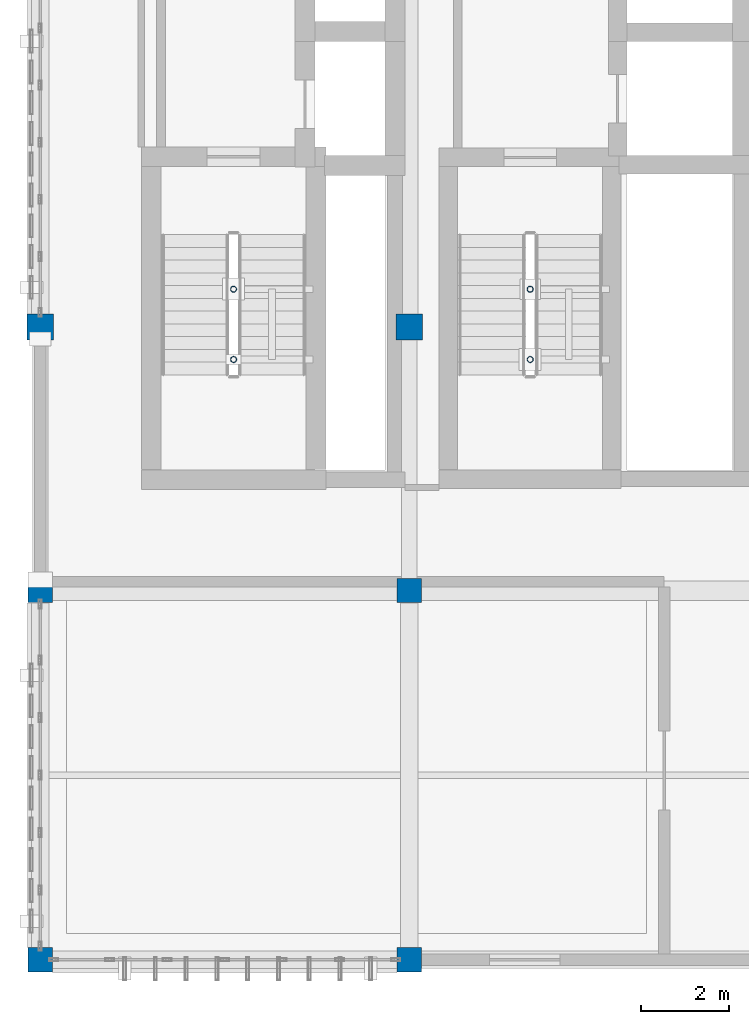
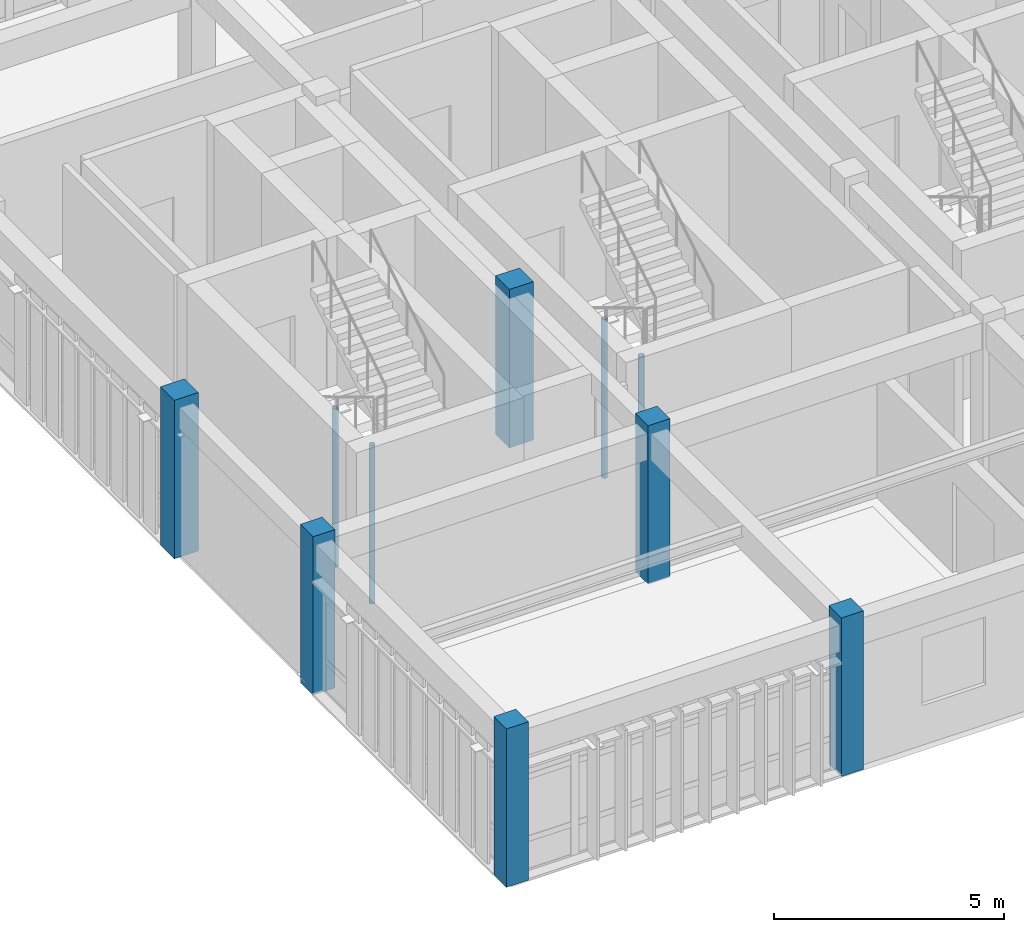
# One storey, part 1 of 21: 10 columns.
"""IFC4 building model written with IfcOpenShell, lengths in metres."""

from ifc_helpers import new_model, si_unit, direction, frame, origin, origin_2d, place, context, subcontext, project, spatial, rectangle, hollow_circle, extrude, material, material_profile, profile_set, type_object, element, save


model = new_model("IFC4")

# Units and contexts
model_context = context("Model", 3, precision=1e-05, world=origin(), true_north=direction((0.0, 1.0)))
body_context = subcontext(model_context, "Body", "Model", "MODEL_VIEW")
ifc_project = project(units=[si_unit("LENGTHUNIT", "METRE"), si_unit("AREAUNIT", "SQUARE_METRE"), si_unit("VOLUMEUNIT", "CUBIC_METRE"), si_unit("PLANEANGLEUNIT", "RADIAN"), si_unit("MASSUNIT", "GRAM", prefix="KILO")], contexts=[model_context])

# Site, building, storey
site_placement = place(None, origin())
site = spatial("IfcSite", under=ifc_project, at=site_placement, CompositionType="ELEMENT")
building_placement = place(site_placement, origin())
building = spatial("IfcBuilding", under=site, at=building_placement, Name="Krzemoval Escarpment Law Courts", CompositionType="ELEMENT")
storey_placement = place(building_placement, frame((0.0, 0.0, 37.800048828125)))
storey = spatial("IfcBuildingStorey", under=building, at=storey_placement, Name="L08", CompositionType="ELEMENT", Elevation=37.800048828125)

# Columns
ifc_material_1 = material(Name="Concrete C40/50", Category="concrete")
ifc_material_profile_1 = material_profile(ifc_material_1, rectangle(XDim=0.550048828125, YDim=0.550048828125, at=origin_2d()), Name="RC 550x550")
ifc_profile_set_1 = profile_set([ifc_material_profile_1], Name="Concrete C40/50")
column_type_1 = type_object("IfcColumnType", Name="COL-RC-550", PredefinedType="COLUMN", material=ifc_profile_set_1)
for number, where, z_axis, x_axis, name in (
    (1, (126.0, 85.199951171875, 0.0), (0.0, 0.0, 1.0), (1.0, 0.0, 0.0), "Column FC-L08-1362"),
    (2, (126.0, 93.60009765625, 0.0), (0.0, 0.0, 1.0), (1.0, 0.0, 0.0), "Column FC-L08-1363"),
    (3, (134.39990234375, 85.199951171875, 0.0), (0.0, 0.0, 1.0), (1.0, 0.0, 0.0), "Column FC-L08-1368"),
    (4, (134.39990234375, 93.60009765625, 0.0), (0.0, 0.0, 1.0), (1.0, 0.0, 0.0), "Column FC-L08-1369"),
):
    element("IfcColumn", number, at=place(storey_placement, frame(where, z_axis=z_axis, x_axis=x_axis)), inside=storey, type_object=column_type_1, Name=name, PredefinedType="COLUMN", context=body_context, shape_type="SweptSolid", body=[
        extrude(rectangle(XDim=0.550048828125, YDim=0.550048828125, at=origin_2d()), origin(), (0.0, 0.0, 1.0), 4.199951171875),
    ])
ifc_material_2 = material(Name="Concrete C40/50", Category="concrete")
ifc_material_profile_2 = material_profile(ifc_material_2, rectangle(XDim=0.60009765625, YDim=0.60009765625, at=origin_2d()), Name="RC 600x600")
ifc_profile_set_2 = profile_set([ifc_material_profile_2], Name="Concrete C40/50")
column_type_2 = type_object("IfcColumnType", Name="COL-RC-600", PredefinedType="COLUMN", material=ifc_profile_set_2)
for number, where, z_axis, x_axis, name in (
    (5, (126.0, 99.60009765625, 0.0), (0.0, 0.0, 1.0), (1.0, 0.0, 0.0), "Column FC-L08-1364"),
    (6, (134.39990234375, 99.60009765625, 0.0), (0.0, 0.0, 1.0), (1.0, 0.0, 0.0), "Column FC-L08-1370"),
):
    element("IfcColumn", number, at=place(storey_placement, frame(where, z_axis=z_axis, x_axis=x_axis)), inside=storey, type_object=column_type_2, Name=name, PredefinedType="COLUMN", context=body_context, shape_type="SweptSolid", body=[
        extrude(rectangle(XDim=0.60009765625, YDim=0.60009765625, at=origin_2d()), origin(), (0.0, 0.0, 1.0), 4.199951171875),
    ])
ifc_material_3 = material(Name="Steel S355", Category="steel")
ifc_material_profile_3 = material_profile(ifc_material_3, hollow_circle(Radius=0.06982421875, WallThickness=0.008056640625, at=origin_2d()), Name="CHS 139.7x8")
ifc_profile_set_3 = profile_set([ifc_material_profile_3], Name="Steel S355")
column_type_3 = type_object("IfcColumnType", Name="COL-S355-CHS140", PredefinedType="COLUMN", material=ifc_profile_set_3)
for number, where, z_axis, x_axis, name in (
    (7, (130.39990234375, 98.860107421875, -2.530029296875), (0.0, 0.0, 1.0), (1.0, 0.0, 0.0), "Stair Well Post SCP-C1-L08-1"),
    (8, (130.39990234375, 100.4599609375, -2.530029296875), (0.0, 0.0, 1.0), (1.0, 0.0, 0.0), "Stair Well Post SCP-C1-L08-2"),
    (9, (137.14990234375, 98.860107421875, -2.530029296875), (0.0, 0.0, 1.0), (1.0, 0.0, 0.0), "Stair Well Post SCP-C2-L08-1"),
    (10, (137.14990234375, 100.4599609375, -2.530029296875), (0.0, 0.0, 1.0), (1.0, 0.0, 0.0), "Stair Well Post SCP-C2-L08-2"),
):
    element("IfcColumn", number, at=place(storey_placement, frame(where, z_axis=z_axis, x_axis=x_axis)), inside=storey, type_object=column_type_3, Name=name, PredefinedType="COLUMN", context=body_context, shape_type="SweptSolid", body=[
        extrude(hollow_circle(Radius=0.06982421875, WallThickness=0.008056640625, at=origin_2d()), origin(), (0.0, 0.0, 1.0), 4.199951171875),
    ])

save(model, "model.ifc")
